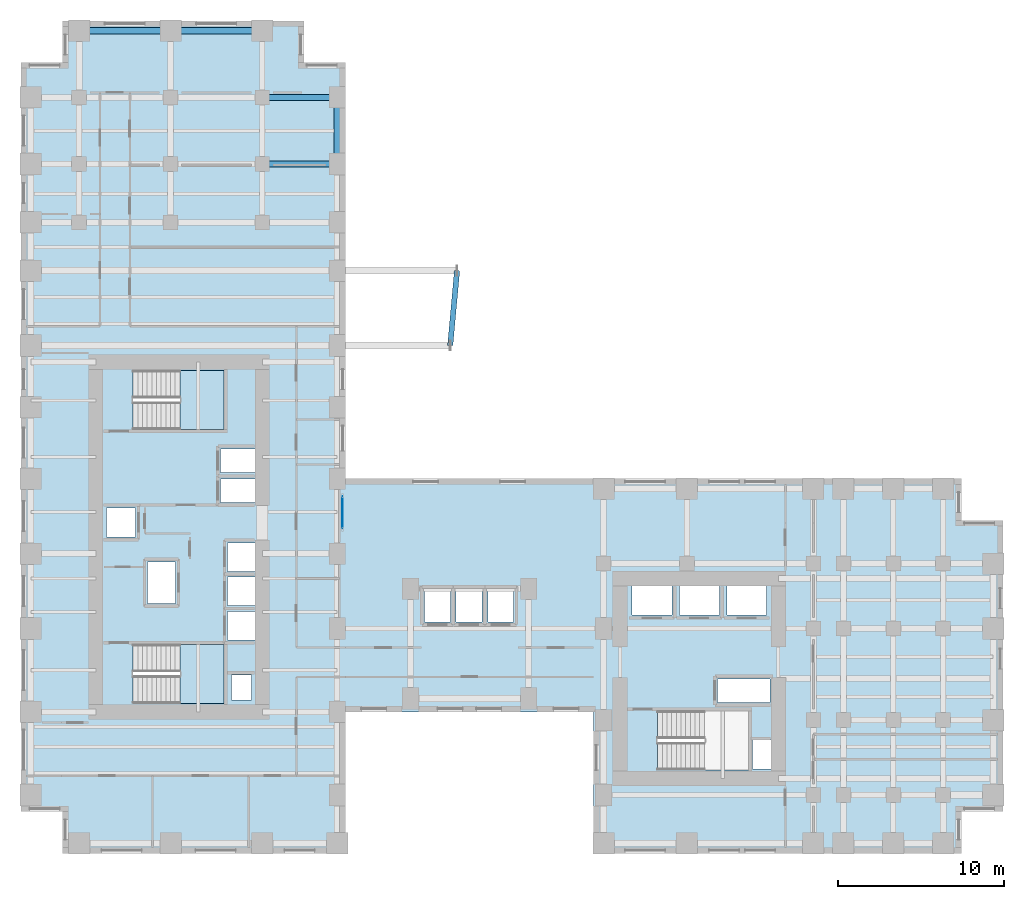
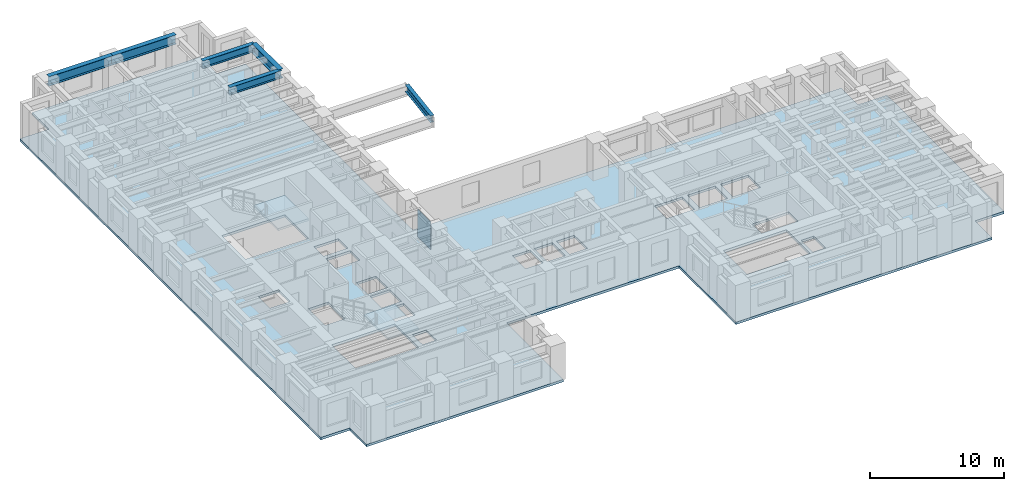
# One storey, part 4 of 13: 6 beams, 3 slabs, 1 plate, 3 elements without a shape of their own.
"""IFC4 building model written with IfcOpenShell, lengths in metres."""

from ifc_helpers import new_model, si_unit, direction, frame, origin, origin_2d, place, context, subcontext, project, spatial, polyline, rectangle, i_section, outline, extrude, source, transform, mapped, material, layer, layer_set, material_profile, profile_set, type_object, element, aggregate, save


model = new_model("IFC4")

# Units and contexts
model_context = context("Model", 3, precision=1e-05, world=origin(), true_north=direction((0.0, 1.0)))
body_context = subcontext(model_context, "Body", "Model", "MODEL_VIEW")
ifc_project = project(units=[si_unit("LENGTHUNIT", "METRE"), si_unit("AREAUNIT", "SQUARE_METRE"), si_unit("VOLUMEUNIT", "CUBIC_METRE"), si_unit("PLANEANGLEUNIT", "RADIAN"), si_unit("MASSUNIT", "GRAM", prefix="KILO")], contexts=[model_context])

# Site, building, storey
site_placement = place(None, origin())
site = spatial("IfcSite", under=ifc_project, at=site_placement, CompositionType="ELEMENT")
building_placement = place(site_placement, origin())
building = spatial("IfcBuilding", under=site, at=building_placement, Name="Kharzan Plaza Tower", CompositionType="ELEMENT")
storey_placement = place(building_placement, frame((0.0, 0.0, 65.699951171875)))
storey = spatial("IfcBuildingStorey", under=building, at=storey_placement, Name="L17", CompositionType="ELEMENT", Elevation=65.699951171875)

# Beams
ifc_material_1 = material(Name="Steel S355", Category="steel")
ifc_material_profile_1 = material_profile(ifc_material_1, i_section(OverallWidth=0.35498046875, OverallDepth=0.695068359375, WebThickness=0.015380859375, FlangeThickness=0.02490234375, at=origin_2d()), Name="W690x217")
ifc_profile_set_1 = profile_set([ifc_material_profile_1], Name="Steel S355")
beam_type_1 = type_object("IfcBeamType", Name="BM-FG690A", PredefinedType="BEAM", material=ifc_profile_set_1)
shared_shape_1 = source(origin(), body_context, "Body", "SweptSolid", [
    extrude(i_section(OverallWidth=0.35498046875, OverallDepth=0.695068359375, WebThickness=0.015380859375, FlangeThickness=0.02490234375, at=origin_2d()), origin(), (0.0, 0.0, 1.0), 4.5),
])
for number, where, z_axis, x_axis, name in (
    (1, (14.5, 41.39990234375, 3.032470703125), (1.0, 0.0, 0.0), (0.0, 1.0, 0.0), "L17 Primary Floor Girder"),
    (2, (14.5, 45.39990234375, 3.032470703125), (1.0, 0.0, 0.0), (0.0, 1.0, 0.0), "L17 Primary Floor Girder"),
):
    element("IfcBeam", number, at=place(storey_placement, frame(where, z_axis=z_axis, x_axis=x_axis)), inside=storey, type_object=beam_type_1, Name=name, PredefinedType="BEAM", context=body_context, shape_type="MappedRepresentation", body=[
        mapped(shared_shape_1, transform((0.0, 0.0, 0.0), x_axis=(1.0, 0.0, 0.0), y_axis=(0.0, 1.0, 0.0), z_axis=(0.0, 0.0, 1.0))),
    ])
ifc_material_profile_2 = material_profile(ifc_material_1, i_section(OverallWidth=0.40087890625, OverallDepth=0.85498046875, WebThickness=0.018310546875, FlangeThickness=0.029296875, at=origin_2d()), Name="W840x299")
ifc_profile_set_2 = profile_set([ifc_material_profile_2], Name="Steel S355")
beam_type_2 = type_object("IfcBeamType", Name="BM-SP840A", PredefinedType="SPANDREL", material=ifc_profile_set_2)
shared_shape_2 = source(origin(), body_context, "Body", "SweptSolid", [
    extrude(i_section(OverallWidth=0.40087890625, OverallDepth=0.85498046875, WebThickness=0.018310546875, FlangeThickness=0.029296875, at=origin_2d()), origin(), (0.0, 0.0, 1.0), 4.0),
])
beam_1_placement = place(storey_placement, frame((19.0, 41.39990234375, 2.95263671875), z_axis=(0.0, 1.0, 0.0), x_axis=(-1.0, 0.0, 0.0)))
element("IfcBeam", 3, at=beam_1_placement, inside=storey, type_object=beam_type_2, Name="L17 Perimeter Tube Spandrel", PredefinedType="SPANDREL", context=body_context, shape_type="MappedRepresentation", body=[
    mapped(shared_shape_2, transform((0.0, 0.0, 0.0), x_axis=(1.0, 0.0, 0.0), y_axis=(0.0, 1.0, 0.0), z_axis=(0.0, 0.0, 1.0))),
])
shared_shape_3 = source(origin(), body_context, "Body", "SweptSolid", [
    extrude(i_section(OverallWidth=0.40087890625, OverallDepth=0.85498046875, WebThickness=0.018310546875, FlangeThickness=0.029296875, at=origin_2d()), origin(), (0.0, 0.0, 1.0), 5.5),
])
for number, where, z_axis, x_axis, name in (
    (4, (3.5, 49.39990234375, 2.95263671875), (1.0, 0.0, 0.0), (0.0, 1.0, 0.0), "L17 Perimeter Tube Spandrel"),
    (5, (9.0, 49.39990234375, 2.95263671875), (1.0, 0.0, 0.0), (0.0, 1.0, 0.0), "L17 Perimeter Tube Spandrel"),
):
    element("IfcBeam", number, at=place(storey_placement, frame(where, z_axis=z_axis, x_axis=x_axis)), inside=storey, type_object=beam_type_2, Name=name, PredefinedType="SPANDREL", context=body_context, shape_type="MappedRepresentation", body=[
        mapped(shared_shape_3, transform((0.0, 0.0, 0.0), x_axis=(1.0, 0.0, 0.0), y_axis=(0.0, 1.0, 0.0), z_axis=(0.0, 0.0, 1.0))),
    ])
ifc_material_profile_3 = material_profile(ifc_material_1, i_section(OverallWidth=0.324951171875, OverallDepth=0.615966796875, WebThickness=0.013916015625, FlangeThickness=0.021484375, at=origin_2d()), Name="W610x174")
ifc_profile_set_3 = profile_set([ifc_material_profile_3], Name="Steel S355")
beam_type_3 = type_object("IfcBeamType", Name="BM-ZTT610", PredefinedType="BEAM", material=ifc_profile_set_3)
shared_shape_4 = source(origin(), body_context, "Body", "SweptSolid", [
    extrude(i_section(OverallWidth=0.324951171875, OverallDepth=0.615966796875, WebThickness=0.013916015625, FlangeThickness=0.021484375, at=origin_2d()), origin(), (0.0, 0.0, 1.0), 4.5185546875),
])
beam_2_placement = place(storey_placement, frame((25.7900390625, 30.5, 3.072021484375), z_axis=(0.09071599143, 0.995876804077, 0.0), x_axis=(-0.995876804077, 0.09071599143, 0.0)))
element("IfcBeam", 6, at=beam_2_placement, inside=storey, type_object=beam_type_3, Name="L17 Sky-Terrace Edge Trimmer Beam ZTT1 (L18)", PredefinedType="BEAM", context=body_context, shape_type="MappedRepresentation", body=[
    mapped(shared_shape_4, transform((0.0, 0.0, 0.0), x_axis=(1.0, 0.0, 0.0), y_axis=(0.0, 1.0, 0.0), z_axis=(0.0, 0.0, 1.0))),
])

# Slab
ifc_material_2 = material(Name="Concrete C40/50", Category="concrete")
ifc_layer_1 = layer(ifc_material_2, 0.219970703125)
ifc_layer_set_1 = layer_set([ifc_layer_1], Name="Concrete C40/50")
slab_type_1 = type_object("IfcSlabType", Name="SL-FLOOR-220", PredefinedType="FLOOR", material=ifc_layer_set_1)
slab_1_placement = place(storey_placement, frame((0.0, 0.0, -0.219970703125)))
element("IfcSlab", 7, at=slab_1_placement, inside=storey, type_object=slab_type_1, Name="L17 Composite Structural Floor Slab 220 mm", PredefinedType="FLOOR", context=body_context, shape_type="SweptSolid", body=[
    extrude(outline(polyline([(34.39990234375, 22.5), (19.5, 22.5), (19.5, 47.5), (17.0, 47.5), (17.0, 50.0), (2.5, 50.0), (2.5, 47.5), (0.0, 47.5), (0.0, 2.5), (2.5, 2.5), (2.5, 0.0), (19.5, 0.0), (19.5, 8.5), (34.39990234375, 8.5), (34.39990234375, 0.0), (56.5, 0.0), (56.5, 2.5), (59.0, 2.5), (59.0, 20.0), (56.5, 20.0), (56.5, 22.5), (34.39990234375, 22.5)]), holes=[polyline([(13.85009765625, 9.199951171875), (13.85009765625, 10.699951171875), (12.64990234375, 10.699951171875), (12.64990234375, 9.199951171875), (13.85009765625, 9.199951171875)]), polyline([(12.199951171875, 9.0), (12.199951171875, 12.550048828125), (6.75, 12.550048828125), (6.75, 9.0), (12.199951171875, 9.0)]), polyline([(14.10009765625, 12.800048828125), (14.10009765625, 14.530029296875), (12.39990234375, 14.530029296875), (12.39990234375, 12.800048828125), (14.10009765625, 12.800048828125)]), polyline([(14.10009765625, 14.8701171875), (14.10009765625, 16.60009765625), (12.39990234375, 16.60009765625), (12.39990234375, 14.8701171875), (14.10009765625, 14.8701171875)]), polyline([(9.300048828125, 15.0), (9.300048828125, 17.5), (7.60009765625, 17.5), (7.60009765625, 15.0), (9.300048828125, 15.0)]), polyline([(14.10009765625, 16.93994140625), (14.10009765625, 18.64990234375), (12.39990234375, 18.64990234375), (12.39990234375, 16.93994140625), (14.10009765625, 16.93994140625)]), polyline([(6.89990234375, 19.010009765625), (6.89990234375, 20.72998046875), (5.14990234375, 20.72998046875), (5.14990234375, 19.010009765625), (6.89990234375, 19.010009765625)]), polyline([(12.0, 21.070068359375), (14.10009765625, 21.070068359375), (14.10009765625, 22.489990234375), (12.0, 22.489990234375), (12.0, 21.070068359375)]), polyline([(12.0, 22.8701171875), (14.10009765625, 22.8701171875), (14.10009765625, 24.2900390625), (12.0, 24.2900390625), (12.0, 22.8701171875)]), polyline([(12.199951171875, 25.449951171875), (12.199951171875, 29.0), (6.75, 29.0), (6.75, 25.449951171875), (12.199951171875, 25.449951171875)]), polyline([(45.050048828125, 5.050048828125), (45.050048828125, 6.800048828125), (43.949951171875, 6.800048828125), (43.949951171875, 5.050048828125), (45.050048828125, 5.050048828125)]), polyline([(43.699951171875, 5.0), (43.699951171875, 8.550048828125), (38.25, 8.550048828125), (38.25, 5.0), (43.699951171875, 5.0)]), polyline([(41.85009765625, 9.070068359375), (45.0, 9.070068359375), (45.0, 10.469970703125), (41.85009765625, 10.469970703125), (41.85009765625, 9.070068359375)]), polyline([(24.25, 13.89990234375), (25.800048828125, 13.89990234375), (25.800048828125, 15.85009765625), (24.25, 15.85009765625), (24.25, 13.89990234375)]), polyline([(27.699951171875, 13.89990234375), (27.699951171875, 15.85009765625), (26.14990234375, 15.85009765625), (26.14990234375, 13.89990234375), (27.699951171875, 13.89990234375)]), polyline([(29.60009765625, 13.89990234375), (29.60009765625, 15.85009765625), (28.050048828125, 15.85009765625), (28.050048828125, 13.89990234375), (29.60009765625, 13.89990234375)]), polyline([(39.10009765625, 14.300048828125), (39.10009765625, 16.14990234375), (36.699951171875, 16.14990234375), (36.699951171875, 14.300048828125), (39.10009765625, 14.300048828125)]), polyline([(39.550048828125, 14.300048828125), (41.949951171875, 14.300048828125), (41.949951171875, 16.14990234375), (39.550048828125, 16.14990234375), (39.550048828125, 14.300048828125)]), polyline([(42.39990234375, 14.300048828125), (44.800048828125, 14.300048828125), (44.800048828125, 16.14990234375), (42.39990234375, 16.14990234375), (42.39990234375, 14.300048828125)])]), origin(), (0.0, 0.0, 1.0), 0.219970703125),
])

# Stair, slab
stair_type_1 = type_object("IfcStairType", Name="STR-ST-1", PredefinedType="HALF_TURN_STAIR", material=ifc_material_2)
stair_1_placement = place(storey_placement, origin())
stair_1 = element("IfcStair", 8, at=stair_1_placement, inside=storey, type_object=stair_type_1, Name="L17 Protected Exit Stair ST-1", PredefinedType="HALF_TURN_STAIR")
ifc_layer_2 = layer(ifc_material_2, 0.219970703125)
ifc_layer_set_2 = layer_set([ifc_layer_2], Name="Concrete C40/50")
slab_type_2 = type_object("IfcSlabType", Name="SL-LANDING-220", PredefinedType="LANDING", material=ifc_layer_set_2)
slab_2_placement = place(storey_placement, frame((0.0, 0.0, 1.60009765625)))
slab_2 = element("IfcSlab", 9, at=slab_2_placement, type_object=slab_type_2, Name="ST-1 landing 1", PredefinedType="LANDING", context=body_context, shape_type="SweptSolid", body=[
    extrude(outline(polyline([(9.550048828125, 9.0), (12.199951171875, 9.0), (12.199951171875, 12.550048828125), (9.550048828125, 12.550048828125), (9.550048828125, 9.0)])), origin(), (0.0, 0.0, 1.0), 0.199951171875),
])
aggregate(stair_1, [slab_2])

stair_type_2 = type_object("IfcStairType", Name="STR-ST-2", PredefinedType="HALF_TURN_STAIR", material=ifc_material_2)
stair_2_placement = place(storey_placement, origin())
stair_2 = element("IfcStair", 10, at=stair_2_placement, inside=storey, type_object=stair_type_2, Name="L17 Protected Exit Stair ST-2", PredefinedType="HALF_TURN_STAIR")
slab_3_placement = place(storey_placement, frame((0.0, 0.0, 1.60009765625)))
slab_3 = element("IfcSlab", 11, at=slab_3_placement, type_object=slab_type_2, Name="ST-2 landing 1", PredefinedType="LANDING", context=body_context, shape_type="SweptSolid", body=[
    extrude(outline(polyline([(9.550048828125, 25.449951171875), (12.199951171875, 25.449951171875), (12.199951171875, 29.0), (9.550048828125, 29.0), (9.550048828125, 25.449951171875)])), origin(), (0.0, 0.0, 1.0), 0.199951171875),
])
aggregate(stair_2, [slab_3])

# Curtain wall, plate
ifc_material_3 = material(Name="Unitised Bronze-Anodized Aluminium and Low-E Glass", Category="aluminium")
ifc_layer_3 = layer(ifc_material_3, 0.199951171875)
ifc_layer_set_3 = layer_set([ifc_layer_3], Name="Unitised Bronze-Anodized Aluminium and Low-E Glass")
curtain_wall_type = type_object("IfcCurtainWallType", Name="CW-SLOT-3", PredefinedType="NOTDEFINED", material=ifc_layer_set_3)
curtain_wall_placement = place(storey_placement, origin())
curtain_wall = element("IfcCurtainWall", 12, at=curtain_wall_placement, inside=storey, type_object=curtain_wall_type, Name="L17 West Slot Recessed Spine Curtain Wall", PredefinedType="NOTDEFINED")
ifc_material_4 = material(Name="Dark Solar-Control Double Glazing", Category="glass")
ifc_layer_4 = layer(ifc_material_4, 0.031982421875)
ifc_layer_set_4 = layer_set([ifc_layer_4], Name="Dark Solar-Control Double Glazing")
plate_type = type_object("IfcPlateType", Name="PLT-CW-GLASS", PredefinedType="CURTAIN_PANEL", material=ifc_layer_set_4)
shared_shape_5 = source(origin(), body_context, "Body", "SweptSolid", [
    extrude(rectangle(XDim=1.929931640625, YDim=0.031982421875, at=origin_2d()), origin(), (0.0, 0.0, 1.0), 2.5400390625),
])
plate_placement = place(storey_placement, frame((19.320068359375, 20.47509765625, 0.080078125), z_axis=(0.0, 0.0, 1.0), x_axis=(0.0, 1.0, 0.0)))
plate = element("IfcPlate", 13, at=plate_placement, type_object=plate_type, Name="L17 Curtain-Wall Glazed Panel 00", PredefinedType="CURTAIN_PANEL", context=body_context, shape_type="MappedRepresentation", body=[
    mapped(shared_shape_5, transform((0.0, 0.0, 0.0), x_axis=(1.0, 0.0, 0.0), y_axis=(0.0, 1.0, 0.0), z_axis=(0.0, 0.0, 1.0))),
])
aggregate(curtain_wall, [plate])

save(model, "model.ifc")
